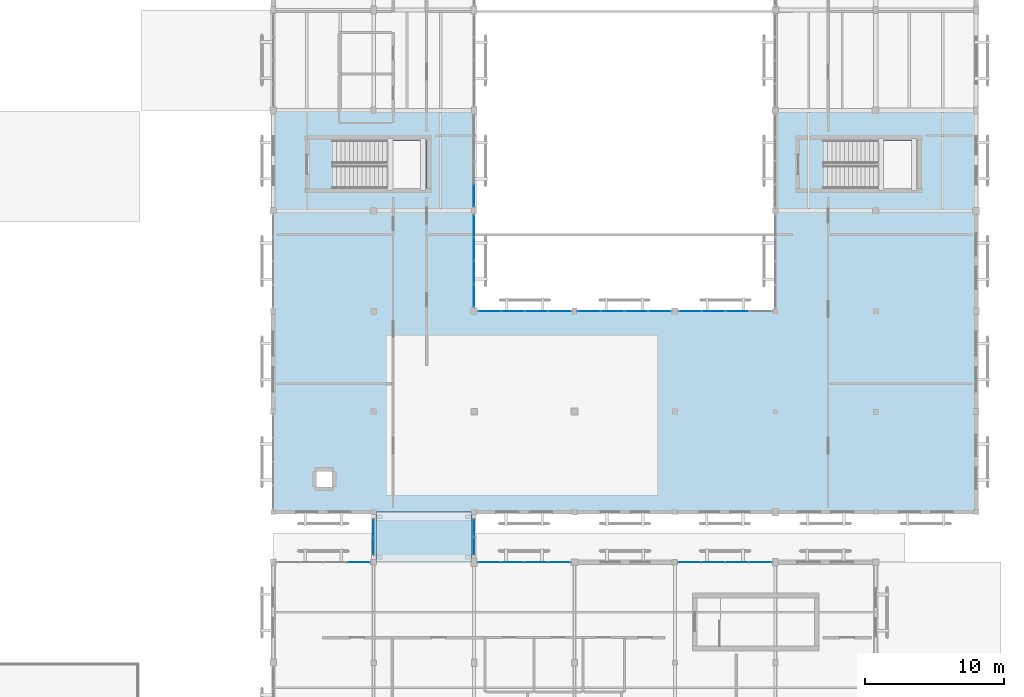
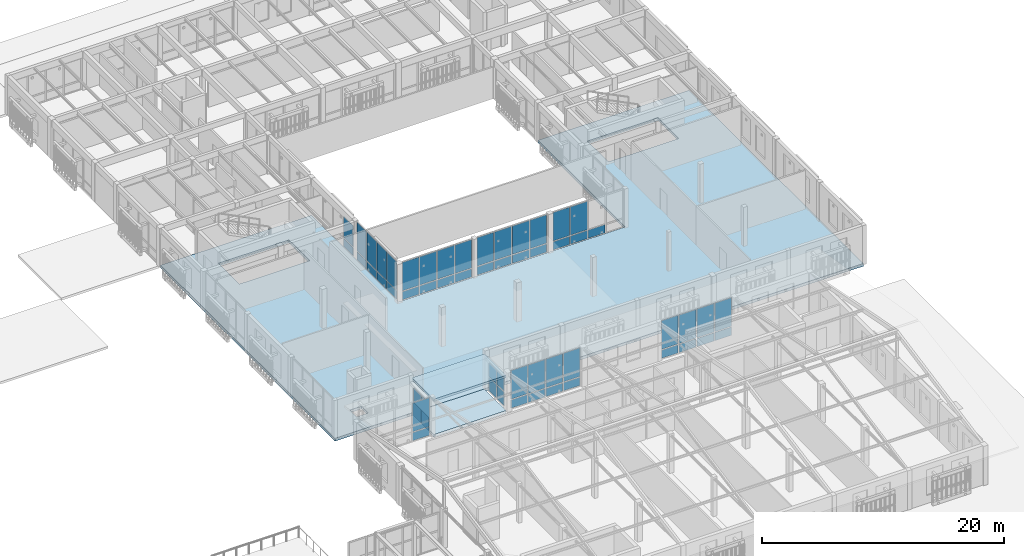
# One storey, part 76 of 112: 57 plates, 3 slabs, 10 elements without a shape of their own.
"""IFC4 building model written with IfcOpenShell, lengths in metres."""

from ifc_helpers import new_model, si_unit, direction, frame, origin, origin_2d, place, context, subcontext, project, spatial, polyline, rectangle, outline, extrude, material, layer, layer_set, type_object, element, aggregate, save


model = new_model("IFC4")

# Units and contexts
model_context = context("Model", 3, precision=1e-05, world=origin(), true_north=direction((0.0, 1.0)))
body_context = subcontext(model_context, "Body", "Model", "MODEL_VIEW")
ifc_project = project(units=[si_unit("LENGTHUNIT", "METRE"), si_unit("AREAUNIT", "SQUARE_METRE"), si_unit("VOLUMEUNIT", "CUBIC_METRE"), si_unit("PLANEANGLEUNIT", "RADIAN"), si_unit("MASSUNIT", "GRAM", prefix="KILO")], contexts=[model_context])

# Site, building, storey
site_placement = place(None, origin())
site = spatial("IfcSite", under=ifc_project, at=site_placement, CompositionType="ELEMENT")
building_placement = place(site_placement, origin())
building = spatial("IfcBuilding", under=site, at=building_placement, Name="Mazaris Harbour Polytechnic", CompositionType="ELEMENT")
storey_placement = place(building_placement, frame((0.0, 0.0, 13.800048828125)))
storey = spatial("IfcBuildingStorey", under=building, at=storey_placement, Name="L03", CompositionType="ELEMENT", Elevation=13.800048828125)

# Slabs
ifc_material_1 = material(Name="Glulam GL28h and Concrete C30/37", Category="concrete")
ifc_layer_1 = layer(ifc_material_1, 0.264892578125, Name="Glulam GL28h and Concrete C30/37")
ifc_layer_set_1 = layer_set([ifc_layer_1], Name="Glulam GL28h and Concrete C30/37")
slab_type_1 = type_object("IfcSlabType", Name="CLT Composite Floor 265", PredefinedType="FLOOR", material=ifc_layer_set_1)
slab_1_placement = place(storey_placement, frame((0.0, 0.0, -0.26513671875)))
element("IfcSlab", 1, at=slab_1_placement, inside=storey, type_object=slab_type_1, Name="PB-NE L03 Bridge Deck", PredefinedType="FLOOR", context=body_context, shape_type="SweptSolid", body=[
    extrude(outline(polyline([(136.64990234375, 43.199951171875), (136.64990234375, 46.800048828125), (129.75, 46.800048828125), (129.75, 43.199951171875), (136.64990234375, 43.199951171875)])), origin(), (0.0, 0.0, 1.0), 0.26513671875),
])
ifc_material_2 = material(Name="Glulam GL28h and Concrete C30/37", Category="concrete")
ifc_layer_2 = layer(ifc_material_2, 0.280029296875, Name="Glulam GL28h and Concrete C30/37")
ifc_layer_set_2 = layer_set([ifc_layer_2], Name="Glulam GL28h and Concrete C30/37")
slab_type_2 = type_object("IfcSlabType", Name="CLT Composite Floor 280", PredefinedType="FLOOR", material=ifc_layer_set_2)
slab_2_placement = place(storey_placement, frame((0.0, 0.0, -0.280029296875)))
element("IfcSlab", 2, at=slab_2_placement, inside=storey, type_object=slab_type_2, Name="V5 L03 Floor Slab", PredefinedType="FLOOR", context=body_context, shape_type="SweptSolid", body=[
    extrude(outline(polyline([(172.800048828125, 46.800048828125), (122.39990234375, 46.800048828125), (122.39990234375, 75.60009765625), (136.800048828125, 75.60009765625), (136.800048828125, 61.199951171875), (158.39990234375, 61.199951171875), (158.39990234375, 75.60009765625), (172.800048828125, 75.60009765625), (172.800048828125, 46.800048828125)]), holes=[polyline([(126.675048828125, 70.0), (133.39990234375, 70.0), (133.39990234375, 73.449951171875), (126.675048828125, 73.449951171875), (126.675048828125, 70.0)]), polyline([(161.875, 73.449951171875), (161.875, 70.0), (168.60009765625, 70.0), (168.60009765625, 73.449951171875), (161.875, 73.449951171875)]), polyline([(125.5, 48.60009765625), (126.6201171875, 48.60009765625), (126.6201171875, 49.719970703125), (125.5, 49.719970703125), (125.5, 48.60009765625)])]), origin(), (0.0, 0.0, 1.0), 0.280029296875),
])

# Curtain wall, plates
ifc_material_3 = material(Name="Anodised Bronze Aluminium and Low-E Glass", Category="aluminium")
ifc_layer_3 = layer(ifc_material_3, 0.139892578125, Name="Anodised Bronze Aluminium and Low-E Glass")
ifc_layer_set_3 = layer_set([ifc_layer_3], Name="Anodised Bronze Aluminium and Low-E Glass")
curtain_wall_type_1 = type_object("IfcCurtainWallType", Name="Seismic Link Bridge Glazing", PredefinedType="NOTDEFINED", material=ifc_layer_set_3)
curtain_wall_1_placement = place(storey_placement, origin())
curtain_wall_1 = element("IfcCurtainWall", 3, at=curtain_wall_1_placement, inside=storey, type_object=curtain_wall_type_1, Name="PB-NE L03 Bridge Glazing", PredefinedType="NOTDEFINED")
ifc_material_4 = material(Name="Anodised Bronze Insulated Panel")
ifc_layer_4 = layer(ifc_material_4, 0.0419921875, Name="Anodised Bronze Insulated Panel")
ifc_layer_set_4 = layer_set([ifc_layer_4], Name="Anodised Bronze Insulated Panel")
plate_type_1 = type_object("IfcPlateType", Name="Insulated Bronze Spandrel Panel 42", PredefinedType="CURTAIN_PANEL", material=ifc_layer_set_4)
plate_1_placement = place(storey_placement, frame((129.60009765625, 45.639892578125, 0.080078125), z_axis=(0.0, 0.0, 1.0), x_axis=(0.0, -1.0, 0.0)))
plate_1 = element("IfcPlate", 4, at=plate_1_placement, type_object=plate_type_1, Name="CW-05 panel 1.1", PredefinedType="CURTAIN_PANEL", context=body_context, shape_type="SweptSolid", body=[
    extrude(rectangle(XDim=1.199951171875, YDim=0.0419921875, at=origin_2d()), origin(), (0.0, 0.0, 1.0), 1.385009765625),
])
plate_2_placement = place(storey_placement, frame((129.60009765625, 45.639892578125, 1.544921875), z_axis=(0.0, 0.0, 1.0), x_axis=(0.0, -1.0, 0.0)))
plate_2 = element("IfcPlate", 5, at=plate_2_placement, type_object=plate_type_1, Name="CW-05 panel 1.2", PredefinedType="CURTAIN_PANEL", context=body_context, shape_type="SweptSolid", body=[
    extrude(rectangle(XDim=1.199951171875, YDim=0.0419921875, at=origin_2d()), origin(), (0.0, 0.0, 1.0), 1.385009765625),
])
plate_3_placement = place(storey_placement, frame((129.60009765625, 44.360107421875, 0.080078125), z_axis=(0.0, 0.0, 1.0), x_axis=(0.0, -1.0, 0.0)))
plate_3 = element("IfcPlate", 6, at=plate_3_placement, type_object=plate_type_1, Name="CW-05 panel 2.1", PredefinedType="CURTAIN_PANEL", context=body_context, shape_type="SweptSolid", body=[
    extrude(rectangle(XDim=1.199951171875, YDim=0.0419921875, at=origin_2d()), origin(), (0.0, 0.0, 1.0), 1.385009765625),
])
plate_4_placement = place(storey_placement, frame((129.60009765625, 44.360107421875, 1.544921875), z_axis=(0.0, 0.0, 1.0), x_axis=(0.0, -1.0, 0.0)))
plate_4 = element("IfcPlate", 7, at=plate_4_placement, type_object=plate_type_1, Name="CW-05 panel 2.2", PredefinedType="CURTAIN_PANEL", context=body_context, shape_type="SweptSolid", body=[
    extrude(rectangle(XDim=1.199951171875, YDim=0.0419921875, at=origin_2d()), origin(), (0.0, 0.0, 1.0), 1.385009765625),
])
aggregate(curtain_wall_1, [plate_1, plate_2, plate_3, plate_4])

# Slab
ifc_material_5 = material(Name="Glulam GL28h and Concrete C30/37", Category="concrete")
ifc_layer_5 = layer(ifc_material_5, 0.239990234375, Name="Glulam GL28h and Concrete C30/37")
ifc_layer_set_5 = layer_set([ifc_layer_5], Name="Glulam GL28h and Concrete C30/37")
slab_type_3 = type_object("IfcSlabType", Name="Insulated Flat Roof Slab 240", PredefinedType="ROOF", material=ifc_layer_set_5)
slab_3_placement = place(storey_placement, frame((0.0, 0.0, 3.31005859375)))
element("IfcSlab", 8, at=slab_3_placement, inside=storey, type_object=slab_type_3, Name="PB-NE Covered Passage Roof", PredefinedType="ROOF", context=body_context, shape_type="SweptSolid", body=[
    extrude(outline(polyline([(136.64990234375, 43.199951171875), (136.64990234375, 46.800048828125), (129.75, 46.800048828125), (129.75, 43.199951171875), (136.64990234375, 43.199951171875)])), origin(), (0.0, 0.0, 1.0), 0.239990234375),
])

# Curtain wall, plates
ifc_material_6 = material(Name="Anodised Bronze Aluminium and Low-E Glass", Category="aluminium")
ifc_layer_6 = layer(ifc_material_6, 0.159912109375, Name="Anodised Bronze Aluminium and Low-E Glass")
ifc_layer_set_6 = layer_set([ifc_layer_6], Name="Anodised Bronze Aluminium and Low-E Glass")
curtain_wall_type_2 = type_object("IfcCurtainWallType", Name="Cloister Court Curtain Wall", PredefinedType="NOTDEFINED", material=ifc_layer_set_6)
curtain_wall_2_placement = place(storey_placement, origin())
curtain_wall_2 = element("IfcCurtainWall", 9, at=curtain_wall_2_placement, inside=storey, type_object=curtain_wall_type_2, Name="V2 L03 Curtain Wall 55", PredefinedType="NOTDEFINED")
ifc_material_7 = material(Name="Low-E Double Glazing", Category="glass")
ifc_layer_7 = layer(ifc_material_7, 0.028076171875, Name="Low-E Double Glazing")
ifc_layer_set_7 = layer_set([ifc_layer_7], Name="Low-E Double Glazing")
plate_type_2 = type_object("IfcPlateType", Name="Low-E Vision Glass Panel 28", PredefinedType="CURTAIN_PANEL", material=ifc_layer_set_7)
plate_5_placement = place(storey_placement, frame((128.524658203125, 43.199951171875, 0.079833984375), z_axis=(0.0, 0.0, 1.0), x_axis=(1.0, 0.0, 0.0)))
plate_5 = element("IfcPlate", 10, at=plate_5_placement, type_object=plate_type_2, Name="CW-02 panel 4.1", PredefinedType="CURTAIN_PANEL", context=body_context, shape_type="SweptSolid", body=[
    extrude(rectangle(XDim=1.58642578125, YDim=0.028076171875, at=origin_2d()), origin(), (0.0, 0.0, 1.0), 0.830078125),
])
plate_6_placement = place(storey_placement, frame((128.524658203125, 43.199951171875, 0.990234375), z_axis=(0.0, 0.0, 1.0), x_axis=(1.0, 0.0, 0.0)))
plate_6 = element("IfcPlate", 11, at=plate_6_placement, type_object=plate_type_2, Name="CW-02 panel 4.2", PredefinedType="CURTAIN_PANEL", context=body_context, shape_type="SweptSolid", body=[
    extrude(rectangle(XDim=1.58642578125, YDim=0.028076171875, at=origin_2d()), origin(), (0.0, 0.0, 1.0), 2.889892578125),
])
aggregate(curtain_wall_2, [plate_5, plate_6])

curtain_wall_3_placement = place(storey_placement, origin())
curtain_wall_3 = element("IfcCurtainWall", 12, at=curtain_wall_3_placement, inside=storey, type_object=curtain_wall_type_2, Name="V2 L03 Curtain Wall 56", PredefinedType="NOTDEFINED")
plate_7_placement = place(storey_placement, frame((137.875244140625, 43.199951171875, 0.079833984375), z_axis=(0.0, 0.0, 1.0), x_axis=(1.0, 0.0, 0.0)))
plate_7 = element("IfcPlate", 13, at=plate_7_placement, type_object=plate_type_2, Name="CW-02 panel 1.1", PredefinedType="CURTAIN_PANEL", context=body_context, shape_type="SweptSolid", body=[
    extrude(rectangle(XDim=1.56640625, YDim=0.028076171875, at=origin_2d()), origin(), (0.0, 0.0, 1.0), 0.830078125),
])
plate_8_placement = place(storey_placement, frame((137.875244140625, 43.199951171875, 0.990234375), z_axis=(0.0, 0.0, 1.0), x_axis=(1.0, 0.0, 0.0)))
plate_8 = element("IfcPlate", 14, at=plate_8_placement, type_object=plate_type_2, Name="CW-02 panel 1.2", PredefinedType="CURTAIN_PANEL", context=body_context, shape_type="SweptSolid", body=[
    extrude(rectangle(XDim=1.56640625, YDim=0.028076171875, at=origin_2d()), origin(), (0.0, 0.0, 1.0), 2.889892578125),
])
plate_9_placement = place(storey_placement, frame((139.541748046875, 43.199951171875, 0.079833984375), z_axis=(0.0, 0.0, 1.0), x_axis=(1.0, 0.0, 0.0)))
plate_9 = element("IfcPlate", 15, at=plate_9_placement, type_object=plate_type_2, Name="CW-02 panel 2.1", PredefinedType="CURTAIN_PANEL", context=body_context, shape_type="SweptSolid", body=[
    extrude(rectangle(XDim=1.6064453125, YDim=0.028076171875, at=origin_2d()), origin(), (0.0, 0.0, 1.0), 0.830078125),
])
plate_10_placement = place(storey_placement, frame((139.541748046875, 43.199951171875, 0.990234375), z_axis=(0.0, 0.0, 1.0), x_axis=(1.0, 0.0, 0.0)))
plate_10 = element("IfcPlate", 16, at=plate_10_placement, type_object=plate_type_2, Name="CW-02 panel 2.2", PredefinedType="CURTAIN_PANEL", context=body_context, shape_type="SweptSolid", body=[
    extrude(rectangle(XDim=1.6064453125, YDim=0.028076171875, at=origin_2d()), origin(), (0.0, 0.0, 1.0), 2.889892578125),
])
plate_11_placement = place(storey_placement, frame((141.228271484375, 43.199951171875, 0.079833984375), z_axis=(0.0, 0.0, 1.0), x_axis=(1.0, 0.0, 0.0)))
plate_11 = element("IfcPlate", 17, at=plate_11_placement, type_object=plate_type_2, Name="CW-02 panel 3.1", PredefinedType="CURTAIN_PANEL", context=body_context, shape_type="SweptSolid", body=[
    extrude(rectangle(XDim=1.6064453125, YDim=0.028076171875, at=origin_2d()), origin(), (0.0, 0.0, 1.0), 0.830078125),
])
plate_12_placement = place(storey_placement, frame((141.228271484375, 43.199951171875, 0.990234375), z_axis=(0.0, 0.0, 1.0), x_axis=(1.0, 0.0, 0.0)))
plate_12 = element("IfcPlate", 18, at=plate_12_placement, type_object=plate_type_2, Name="CW-02 panel 3.2", PredefinedType="CURTAIN_PANEL", context=body_context, shape_type="SweptSolid", body=[
    extrude(rectangle(XDim=1.6064453125, YDim=0.028076171875, at=origin_2d()), origin(), (0.0, 0.0, 1.0), 2.889892578125),
])
plate_13_placement = place(storey_placement, frame((142.894775390625, 43.199951171875, 0.079833984375), z_axis=(0.0, 0.0, 1.0), x_axis=(1.0, 0.0, 0.0)))
plate_13 = element("IfcPlate", 19, at=plate_13_placement, type_object=plate_type_2, Name="CW-02 panel 4.1", PredefinedType="CURTAIN_PANEL", context=body_context, shape_type="SweptSolid", body=[
    extrude(rectangle(XDim=1.56640625, YDim=0.028076171875, at=origin_2d()), origin(), (0.0, 0.0, 1.0), 0.830078125),
])
plate_14_placement = place(storey_placement, frame((142.894775390625, 43.199951171875, 0.990234375), z_axis=(0.0, 0.0, 1.0), x_axis=(1.0, 0.0, 0.0)))
plate_14 = element("IfcPlate", 20, at=plate_14_placement, type_object=plate_type_2, Name="CW-02 panel 4.2", PredefinedType="CURTAIN_PANEL", context=body_context, shape_type="SweptSolid", body=[
    extrude(rectangle(XDim=1.56640625, YDim=0.028076171875, at=origin_2d()), origin(), (0.0, 0.0, 1.0), 2.889892578125),
])
aggregate(curtain_wall_3, [plate_7, plate_8, plate_9, plate_10, plate_11, plate_12, plate_13, plate_14])

curtain_wall_4_placement = place(storey_placement, origin())
curtain_wall_4 = element("IfcCurtainWall", 21, at=curtain_wall_4_placement, inside=storey, type_object=curtain_wall_type_2, Name="V2 L03 Curtain Wall 57", PredefinedType="NOTDEFINED")
plate_15_placement = place(storey_placement, frame((152.25537109375, 43.199951171875, 0.079833984375), z_axis=(0.0, 0.0, 1.0), x_axis=(1.0, 0.0, 0.0)))
plate_15 = element("IfcPlate", 22, at=plate_15_placement, type_object=plate_type_2, Name="CW-02 panel 1.1", PredefinedType="CURTAIN_PANEL", context=body_context, shape_type="SweptSolid", body=[
    extrude(rectangle(XDim=1.58642578125, YDim=0.028076171875, at=origin_2d()), origin(), (0.0, 0.0, 1.0), 0.830078125),
])
plate_16_placement = place(storey_placement, frame((152.25537109375, 43.199951171875, 0.990234375), z_axis=(0.0, 0.0, 1.0), x_axis=(1.0, 0.0, 0.0)))
plate_16 = element("IfcPlate", 23, at=plate_16_placement, type_object=plate_type_2, Name="CW-02 panel 1.2", PredefinedType="CURTAIN_PANEL", context=body_context, shape_type="SweptSolid", body=[
    extrude(rectangle(XDim=1.58642578125, YDim=0.028076171875, at=origin_2d()), origin(), (0.0, 0.0, 1.0), 2.889892578125),
])
plate_17_placement = place(storey_placement, frame((153.941650390625, 43.199951171875, 0.079833984375), z_axis=(0.0, 0.0, 1.0), x_axis=(1.0, 0.0, 0.0)))
plate_17 = element("IfcPlate", 24, at=plate_17_placement, type_object=plate_type_2, Name="CW-02 panel 2.1", PredefinedType="CURTAIN_PANEL", context=body_context, shape_type="SweptSolid", body=[
    extrude(rectangle(XDim=1.62646484375, YDim=0.028076171875, at=origin_2d()), origin(), (0.0, 0.0, 1.0), 0.830078125),
])
plate_18_placement = place(storey_placement, frame((153.941650390625, 43.199951171875, 0.990234375), z_axis=(0.0, 0.0, 1.0), x_axis=(1.0, 0.0, 0.0)))
plate_18 = element("IfcPlate", 25, at=plate_18_placement, type_object=plate_type_2, Name="CW-02 panel 2.2", PredefinedType="CURTAIN_PANEL", context=body_context, shape_type="SweptSolid", body=[
    extrude(rectangle(XDim=1.62646484375, YDim=0.028076171875, at=origin_2d()), origin(), (0.0, 0.0, 1.0), 2.889892578125),
])
plate_19_placement = place(storey_placement, frame((155.648193359375, 43.199951171875, 0.079833984375), z_axis=(0.0, 0.0, 1.0), x_axis=(1.0, 0.0, 0.0)))
plate_19 = element("IfcPlate", 26, at=plate_19_placement, type_object=plate_type_2, Name="CW-02 panel 3.1", PredefinedType="CURTAIN_PANEL", context=body_context, shape_type="SweptSolid", body=[
    extrude(rectangle(XDim=1.62646484375, YDim=0.028076171875, at=origin_2d()), origin(), (0.0, 0.0, 1.0), 0.830078125),
])
plate_20_placement = place(storey_placement, frame((155.648193359375, 43.199951171875, 0.990234375), z_axis=(0.0, 0.0, 1.0), x_axis=(1.0, 0.0, 0.0)))
plate_20 = element("IfcPlate", 27, at=plate_20_placement, type_object=plate_type_2, Name="CW-02 panel 3.2", PredefinedType="CURTAIN_PANEL", context=body_context, shape_type="SweptSolid", body=[
    extrude(rectangle(XDim=1.62646484375, YDim=0.028076171875, at=origin_2d()), origin(), (0.0, 0.0, 1.0), 2.889892578125),
])
plate_21_placement = place(storey_placement, frame((157.334716796875, 43.199951171875, 0.079833984375), z_axis=(0.0, 0.0, 1.0), x_axis=(1.0, 0.0, 0.0)))
plate_21 = element("IfcPlate", 28, at=plate_21_placement, type_object=plate_type_2, Name="CW-02 panel 4.1", PredefinedType="CURTAIN_PANEL", context=body_context, shape_type="SweptSolid", body=[
    extrude(rectangle(XDim=1.58642578125, YDim=0.028076171875, at=origin_2d()), origin(), (0.0, 0.0, 1.0), 0.830078125),
])
plate_22_placement = place(storey_placement, frame((157.334716796875, 43.199951171875, 0.990234375), z_axis=(0.0, 0.0, 1.0), x_axis=(1.0, 0.0, 0.0)))
plate_22 = element("IfcPlate", 29, at=plate_22_placement, type_object=plate_type_2, Name="CW-02 panel 4.2", PredefinedType="CURTAIN_PANEL", context=body_context, shape_type="SweptSolid", body=[
    extrude(rectangle(XDim=1.58642578125, YDim=0.028076171875, at=origin_2d()), origin(), (0.0, 0.0, 1.0), 2.889892578125),
])
aggregate(curtain_wall_4, [plate_15, plate_16, plate_17, plate_18, plate_19, plate_20, plate_21, plate_22])

curtain_wall_5_placement = place(storey_placement, origin())
curtain_wall_5 = element("IfcCurtainWall", 30, at=curtain_wall_5_placement, inside=storey, type_object=curtain_wall_type_1, Name="PB-NE L03 Bridge Glazing", PredefinedType="NOTDEFINED")
plate_23_placement = place(storey_placement, frame((136.800048828125, 44.360107421875, 0.080078125), z_axis=(0.0, 0.0, 1.0), x_axis=(0.0, 1.0, 0.0)))
plate_23 = element("IfcPlate", 31, at=plate_23_placement, type_object=plate_type_2, Name="CW-05 panel 1.1", PredefinedType="CURTAIN_PANEL", context=body_context, shape_type="SweptSolid", body=[
    extrude(rectangle(XDim=1.199951171875, YDim=0.028076171875, at=origin_2d()), origin(), (0.0, 0.0, 1.0), 1.385009765625),
])
plate_24_placement = place(storey_placement, frame((136.800048828125, 44.360107421875, 1.544921875), z_axis=(0.0, 0.0, 1.0), x_axis=(0.0, 1.0, 0.0)))
plate_24 = element("IfcPlate", 32, at=plate_24_placement, type_object=plate_type_2, Name="CW-05 panel 1.2", PredefinedType="CURTAIN_PANEL", context=body_context, shape_type="SweptSolid", body=[
    extrude(rectangle(XDim=1.199951171875, YDim=0.028076171875, at=origin_2d()), origin(), (0.0, 0.0, 1.0), 1.385009765625),
])
plate_25_placement = place(storey_placement, frame((136.800048828125, 45.639892578125, 0.080078125), z_axis=(0.0, 0.0, 1.0), x_axis=(0.0, 1.0, 0.0)))
plate_25 = element("IfcPlate", 33, at=plate_25_placement, type_object=plate_type_2, Name="CW-05 panel 2.1", PredefinedType="CURTAIN_PANEL", context=body_context, shape_type="SweptSolid", body=[
    extrude(rectangle(XDim=1.199951171875, YDim=0.028076171875, at=origin_2d()), origin(), (0.0, 0.0, 1.0), 1.385009765625),
])
plate_26_placement = place(storey_placement, frame((136.800048828125, 45.639892578125, 1.544921875), z_axis=(0.0, 0.0, 1.0), x_axis=(0.0, 1.0, 0.0)))
plate_26 = element("IfcPlate", 34, at=plate_26_placement, type_object=plate_type_2, Name="CW-05 panel 2.2", PredefinedType="CURTAIN_PANEL", context=body_context, shape_type="SweptSolid", body=[
    extrude(rectangle(XDim=1.199951171875, YDim=0.028076171875, at=origin_2d()), origin(), (0.0, 0.0, 1.0), 1.385009765625),
])
aggregate(curtain_wall_5, [plate_23, plate_24, plate_25, plate_26])

ifc_material_8 = material(Name="Anodised Bronze Aluminium and Low-E Glass", Category="aluminium")
ifc_layer_8 = layer(ifc_material_8, 0.169921875, Name="Anodised Bronze Aluminium and Low-E Glass")
ifc_layer_set_8 = layer_set([ifc_layer_8], Name="Anodised Bronze Aluminium and Low-E Glass")
curtain_wall_type_3 = type_object("IfcCurtainWallType", Name="Studio North-Light Curtain Wall", PredefinedType="NOTDEFINED", material=ifc_layer_set_8)
curtain_wall_6_placement = place(storey_placement, origin())
curtain_wall_6 = element("IfcCurtainWall", 35, at=curtain_wall_6_placement, inside=storey, type_object=curtain_wall_type_3, Name="V5 L03 Curtain Wall 257", PredefinedType="NOTDEFINED")
ifc_material_9 = material(Name="Solar-Control Low-E Glazing", Category="glass")
ifc_layer_9 = layer(ifc_material_9, 0.031982421875, Name="Solar-Control Low-E Glazing")
ifc_layer_set_9 = layer_set([ifc_layer_9], Name="Solar-Control Low-E Glazing")
plate_type_3 = type_object("IfcPlateType", Name="Solar Control Studio Glass Panel 32", PredefinedType="CURTAIN_PANEL", material=ifc_layer_set_9)
plate_27_placement = place(storey_placement, frame((137.91015625, 61.199951171875, 0.079833984375), z_axis=(0.0, 0.0, 1.0), x_axis=(1.0, 0.0, 0.0)))
plate_27 = element("IfcPlate", 36, at=plate_27_placement, type_object=plate_type_3, Name="CW-03 panel 1.1", PredefinedType="CURTAIN_PANEL", context=body_context, shape_type="SweptSolid", body=[
    extrude(rectangle(XDim=1.576416015625, YDim=0.031982421875, at=origin_2d()), origin(), (0.0, 0.0, 1.0), 0.830078125),
])
plate_28_placement = place(storey_placement, frame((137.91015625, 61.199951171875, 0.98974609375), z_axis=(0.0, 0.0, 1.0), x_axis=(1.0, 0.0, 0.0)))
plate_28 = element("IfcPlate", 37, at=plate_28_placement, type_object=plate_type_3, Name="CW-03 panel 1.2", PredefinedType="CURTAIN_PANEL", context=body_context, shape_type="SweptSolid", body=[
    extrude(rectangle(XDim=1.576416015625, YDim=0.031982421875, at=origin_2d()), origin(), (0.0, 0.0, 1.0), 2.864990234375),
])
plate_29_placement = place(storey_placement, frame((139.586669921875, 61.199951171875, 0.079833984375), z_axis=(0.0, 0.0, 1.0), x_axis=(1.0, 0.0, 0.0)))
plate_29 = element("IfcPlate", 38, at=plate_29_placement, type_object=plate_type_3, Name="CW-03 panel 2.1", PredefinedType="CURTAIN_PANEL", context=body_context, shape_type="SweptSolid", body=[
    extrude(rectangle(XDim=1.616455078125, YDim=0.031982421875, at=origin_2d()), origin(), (0.0, 0.0, 1.0), 0.830078125),
])
plate_30_placement = place(storey_placement, frame((139.586669921875, 61.199951171875, 0.98974609375), z_axis=(0.0, 0.0, 1.0), x_axis=(1.0, 0.0, 0.0)))
plate_30 = element("IfcPlate", 39, at=plate_30_placement, type_object=plate_type_3, Name="CW-03 panel 2.2", PredefinedType="CURTAIN_PANEL", context=body_context, shape_type="SweptSolid", body=[
    extrude(rectangle(XDim=1.616455078125, YDim=0.031982421875, at=origin_2d()), origin(), (0.0, 0.0, 1.0), 2.864990234375),
])
plate_31_placement = place(storey_placement, frame((141.283203125, 61.199951171875, 0.079833984375), z_axis=(0.0, 0.0, 1.0), x_axis=(1.0, 0.0, 0.0)))
plate_31 = element("IfcPlate", 40, at=plate_31_placement, type_object=plate_type_3, Name="CW-03 panel 3.1", PredefinedType="CURTAIN_PANEL", context=body_context, shape_type="SweptSolid", body=[
    extrude(rectangle(XDim=1.616455078125, YDim=0.031982421875, at=origin_2d()), origin(), (0.0, 0.0, 1.0), 0.830078125),
])
plate_32_placement = place(storey_placement, frame((141.283203125, 61.199951171875, 0.98974609375), z_axis=(0.0, 0.0, 1.0), x_axis=(1.0, 0.0, 0.0)))
plate_32 = element("IfcPlate", 41, at=plate_32_placement, type_object=plate_type_3, Name="CW-03 panel 3.2", PredefinedType="CURTAIN_PANEL", context=body_context, shape_type="SweptSolid", body=[
    extrude(rectangle(XDim=1.616455078125, YDim=0.031982421875, at=origin_2d()), origin(), (0.0, 0.0, 1.0), 2.864990234375),
])
plate_33_placement = place(storey_placement, frame((142.959716796875, 61.199951171875, 0.079833984375), z_axis=(0.0, 0.0, 1.0), x_axis=(1.0, 0.0, 0.0)))
plate_33 = element("IfcPlate", 42, at=plate_33_placement, type_object=plate_type_3, Name="CW-03 panel 4.1", PredefinedType="CURTAIN_PANEL", context=body_context, shape_type="SweptSolid", body=[
    extrude(rectangle(XDim=1.576416015625, YDim=0.031982421875, at=origin_2d()), origin(), (0.0, 0.0, 1.0), 0.830078125),
])
plate_34_placement = place(storey_placement, frame((142.959716796875, 61.199951171875, 0.98974609375), z_axis=(0.0, 0.0, 1.0), x_axis=(1.0, 0.0, 0.0)))
plate_34 = element("IfcPlate", 43, at=plate_34_placement, type_object=plate_type_3, Name="CW-03 panel 4.2", PredefinedType="CURTAIN_PANEL", context=body_context, shape_type="SweptSolid", body=[
    extrude(rectangle(XDim=1.576416015625, YDim=0.031982421875, at=origin_2d()), origin(), (0.0, 0.0, 1.0), 2.864990234375),
])
aggregate(curtain_wall_6, [plate_27, plate_28, plate_29, plate_30, plate_31, plate_32, plate_33, plate_34])

curtain_wall_7_placement = place(storey_placement, origin())
curtain_wall_7 = element("IfcCurtainWall", 44, at=curtain_wall_7_placement, inside=storey, type_object=curtain_wall_type_3, Name="V5 L03 Curtain Wall 258", PredefinedType="NOTDEFINED")
plate_35_placement = place(storey_placement, frame((145.042724609375, 61.199951171875, 0.079833984375), z_axis=(0.0, 0.0, 1.0), x_axis=(1.0, 0.0, 0.0)))
plate_35 = element("IfcPlate", 45, at=plate_35_placement, type_object=plate_type_3, Name="CW-03 panel 1.1", PredefinedType="CURTAIN_PANEL", context=body_context, shape_type="SweptSolid", body=[
    extrude(rectangle(XDim=1.58154296875, YDim=0.031982421875, at=origin_2d()), origin(), (0.0, 0.0, 1.0), 0.830078125),
])
plate_36_placement = place(storey_placement, frame((145.042724609375, 61.199951171875, 0.98974609375), z_axis=(0.0, 0.0, 1.0), x_axis=(1.0, 0.0, 0.0)))
plate_36 = element("IfcPlate", 46, at=plate_36_placement, type_object=plate_type_3, Name="CW-03 panel 1.2", PredefinedType="CURTAIN_PANEL", context=body_context, shape_type="SweptSolid", body=[
    extrude(rectangle(XDim=1.58154296875, YDim=0.031982421875, at=origin_2d()), origin(), (0.0, 0.0, 1.0), 2.864990234375),
])
plate_37_placement = place(storey_placement, frame((146.724365234375, 61.199951171875, 0.079833984375), z_axis=(0.0, 0.0, 1.0), x_axis=(1.0, 0.0, 0.0)))
plate_37 = element("IfcPlate", 47, at=plate_37_placement, type_object=plate_type_3, Name="CW-03 panel 2.1", PredefinedType="CURTAIN_PANEL", context=body_context, shape_type="SweptSolid", body=[
    extrude(rectangle(XDim=1.62158203125, YDim=0.031982421875, at=origin_2d()), origin(), (0.0, 0.0, 1.0), 0.830078125),
])
plate_38_placement = place(storey_placement, frame((146.724365234375, 61.199951171875, 0.98974609375), z_axis=(0.0, 0.0, 1.0), x_axis=(1.0, 0.0, 0.0)))
plate_38 = element("IfcPlate", 48, at=plate_38_placement, type_object=plate_type_3, Name="CW-03 panel 2.2", PredefinedType="CURTAIN_PANEL", context=body_context, shape_type="SweptSolid", body=[
    extrude(rectangle(XDim=1.62158203125, YDim=0.031982421875, at=origin_2d()), origin(), (0.0, 0.0, 1.0), 2.864990234375),
])
plate_39_placement = place(storey_placement, frame((148.42578125, 61.199951171875, 0.079833984375), z_axis=(0.0, 0.0, 1.0), x_axis=(1.0, 0.0, 0.0)))
plate_39 = element("IfcPlate", 49, at=plate_39_placement, type_object=plate_type_3, Name="CW-03 panel 3.1", PredefinedType="CURTAIN_PANEL", context=body_context, shape_type="SweptSolid", body=[
    extrude(rectangle(XDim=1.62158203125, YDim=0.031982421875, at=origin_2d()), origin(), (0.0, 0.0, 1.0), 0.830078125),
])
plate_40_placement = place(storey_placement, frame((148.42578125, 61.199951171875, 0.98974609375), z_axis=(0.0, 0.0, 1.0), x_axis=(1.0, 0.0, 0.0)))
plate_40 = element("IfcPlate", 50, at=plate_40_placement, type_object=plate_type_3, Name="CW-03 panel 3.2", PredefinedType="CURTAIN_PANEL", context=body_context, shape_type="SweptSolid", body=[
    extrude(rectangle(XDim=1.62158203125, YDim=0.031982421875, at=origin_2d()), origin(), (0.0, 0.0, 1.0), 2.864990234375),
])
plate_41_placement = place(storey_placement, frame((150.107177734375, 61.199951171875, 0.079833984375), z_axis=(0.0, 0.0, 1.0), x_axis=(1.0, 0.0, 0.0)))
plate_41 = element("IfcPlate", 51, at=plate_41_placement, type_object=plate_type_3, Name="CW-03 panel 4.1", PredefinedType="CURTAIN_PANEL", context=body_context, shape_type="SweptSolid", body=[
    extrude(rectangle(XDim=1.58154296875, YDim=0.031982421875, at=origin_2d()), origin(), (0.0, 0.0, 1.0), 0.830078125),
])
plate_42_placement = place(storey_placement, frame((150.107177734375, 61.199951171875, 0.98974609375), z_axis=(0.0, 0.0, 1.0), x_axis=(1.0, 0.0, 0.0)))
plate_42 = element("IfcPlate", 52, at=plate_42_placement, type_object=plate_type_3, Name="CW-03 panel 4.2", PredefinedType="CURTAIN_PANEL", context=body_context, shape_type="SweptSolid", body=[
    extrude(rectangle(XDim=1.58154296875, YDim=0.031982421875, at=origin_2d()), origin(), (0.0, 0.0, 1.0), 2.864990234375),
])
aggregate(curtain_wall_7, [plate_35, plate_36, plate_37, plate_38, plate_39, plate_40, plate_41, plate_42])

curtain_wall_8_placement = place(storey_placement, origin())
curtain_wall_8 = element("IfcCurtainWall", 53, at=curtain_wall_8_placement, inside=storey, type_object=curtain_wall_type_3, Name="V5 L03 Curtain Wall 259", PredefinedType="NOTDEFINED")
plate_43_placement = place(storey_placement, frame((152.29150390625, 61.199951171875, 0.079833984375), z_axis=(0.0, 0.0, 1.0), x_axis=(1.0, 0.0, 0.0)))
plate_43 = element("IfcPlate", 54, at=plate_43_placement, type_object=plate_type_3, Name="CW-03 panel 1.1", PredefinedType="CURTAIN_PANEL", context=body_context, shape_type="SweptSolid", body=[
    extrude(rectangle(XDim=1.5791015625, YDim=0.031982421875, at=origin_2d()), origin(), (0.0, 0.0, 1.0), 0.830078125),
])
plate_44_placement = place(storey_placement, frame((152.29150390625, 61.199951171875, 0.98974609375), z_axis=(0.0, 0.0, 1.0), x_axis=(1.0, 0.0, 0.0)))
plate_44 = element("IfcPlate", 55, at=plate_44_placement, type_object=plate_type_3, Name="CW-03 panel 1.2", PredefinedType="CURTAIN_PANEL", context=body_context, shape_type="SweptSolid", body=[
    extrude(rectangle(XDim=1.5791015625, YDim=0.031982421875, at=origin_2d()), origin(), (0.0, 0.0, 1.0), 2.864990234375),
])
plate_45_placement = place(storey_placement, frame((153.970458984375, 61.199951171875, 0.079833984375), z_axis=(0.0, 0.0, 1.0), x_axis=(1.0, 0.0, 0.0)))
plate_45 = element("IfcPlate", 56, at=plate_45_placement, type_object=plate_type_3, Name="CW-03 panel 2.1", PredefinedType="CURTAIN_PANEL", context=body_context, shape_type="SweptSolid", body=[
    extrude(rectangle(XDim=1.618896484375, YDim=0.031982421875, at=origin_2d()), origin(), (0.0, 0.0, 1.0), 0.830078125),
])
plate_46_placement = place(storey_placement, frame((153.970458984375, 61.199951171875, 0.98974609375), z_axis=(0.0, 0.0, 1.0), x_axis=(1.0, 0.0, 0.0)))
plate_46 = element("IfcPlate", 57, at=plate_46_placement, type_object=plate_type_3, Name="CW-03 panel 2.2", PredefinedType="CURTAIN_PANEL", context=body_context, shape_type="SweptSolid", body=[
    extrude(rectangle(XDim=1.618896484375, YDim=0.031982421875, at=origin_2d()), origin(), (0.0, 0.0, 1.0), 2.864990234375),
])
plate_47_placement = place(storey_placement, frame((155.66943359375, 61.199951171875, 0.079833984375), z_axis=(0.0, 0.0, 1.0), x_axis=(1.0, 0.0, 0.0)))
plate_47 = element("IfcPlate", 58, at=plate_47_placement, type_object=plate_type_3, Name="CW-03 panel 3.1", PredefinedType="CURTAIN_PANEL", context=body_context, shape_type="SweptSolid", body=[
    extrude(rectangle(XDim=1.618896484375, YDim=0.031982421875, at=origin_2d()), origin(), (0.0, 0.0, 1.0), 0.830078125),
])
aggregate(curtain_wall_8, [plate_43, plate_44, plate_45, plate_46, plate_47])

curtain_wall_9_placement = place(storey_placement, origin())
curtain_wall_9 = element("IfcCurtainWall", 59, at=curtain_wall_9_placement, inside=storey, type_object=curtain_wall_type_3, Name="V5 L03 Curtain Wall 263", PredefinedType="NOTDEFINED")
plate_48_placement = place(storey_placement, frame((136.800048828125, 62.302734375, 0.079833984375), z_axis=(0.0, 0.0, 1.0), x_axis=(0.0, 1.0, 0.0)))
plate_48 = element("IfcPlate", 60, at=plate_48_placement, type_object=plate_type_3, Name="CW-03 panel 1.1", PredefinedType="CURTAIN_PANEL", context=body_context, shape_type="SweptSolid", body=[
    extrude(rectangle(XDim=1.5615234375, YDim=0.031982421875, at=origin_2d()), origin(), (0.0, 0.0, 1.0), 0.830078125),
])
plate_49_placement = place(storey_placement, frame((136.800048828125, 62.302734375, 0.98974609375), z_axis=(0.0, 0.0, 1.0), x_axis=(0.0, 1.0, 0.0)))
plate_49 = element("IfcPlate", 61, at=plate_49_placement, type_object=plate_type_3, Name="CW-03 panel 1.2", PredefinedType="CURTAIN_PANEL", context=body_context, shape_type="SweptSolid", body=[
    extrude(rectangle(XDim=1.5615234375, YDim=0.031982421875, at=origin_2d()), origin(), (0.0, 0.0, 1.0), 2.864990234375),
])
plate_50_placement = place(storey_placement, frame((136.800048828125, 63.96435546875, 0.079833984375), z_axis=(0.0, 0.0, 1.0), x_axis=(0.0, 1.0, 0.0)))
plate_50 = element("IfcPlate", 62, at=plate_50_placement, type_object=plate_type_3, Name="CW-03 panel 2.1", PredefinedType="CURTAIN_PANEL", context=body_context, shape_type="SweptSolid", body=[
    extrude(rectangle(XDim=1.6015625, YDim=0.031982421875, at=origin_2d()), origin(), (0.0, 0.0, 1.0), 0.830078125),
])
plate_51_placement = place(storey_placement, frame((136.800048828125, 63.96435546875, 0.98974609375), z_axis=(0.0, 0.0, 1.0), x_axis=(0.0, 1.0, 0.0)))
plate_51 = element("IfcPlate", 63, at=plate_51_placement, type_object=plate_type_3, Name="CW-03 panel 2.2", PredefinedType="CURTAIN_PANEL", context=body_context, shape_type="SweptSolid", body=[
    extrude(rectangle(XDim=1.6015625, YDim=0.031982421875, at=origin_2d()), origin(), (0.0, 0.0, 1.0), 2.864990234375),
])
plate_52_placement = place(storey_placement, frame((136.800048828125, 65.645751953125, 0.079833984375), z_axis=(0.0, 0.0, 1.0), x_axis=(0.0, 1.0, 0.0)))
plate_52 = element("IfcPlate", 64, at=plate_52_placement, type_object=plate_type_3, Name="CW-03 panel 3.1", PredefinedType="CURTAIN_PANEL", context=body_context, shape_type="SweptSolid", body=[
    extrude(rectangle(XDim=1.6015625, YDim=0.031982421875, at=origin_2d()), origin(), (0.0, 0.0, 1.0), 0.830078125),
])
plate_53_placement = place(storey_placement, frame((136.800048828125, 65.645751953125, 0.98974609375), z_axis=(0.0, 0.0, 1.0), x_axis=(0.0, 1.0, 0.0)))
plate_53 = element("IfcPlate", 65, at=plate_53_placement, type_object=plate_type_3, Name="CW-03 panel 3.2", PredefinedType="CURTAIN_PANEL", context=body_context, shape_type="SweptSolid", body=[
    extrude(rectangle(XDim=1.6015625, YDim=0.031982421875, at=origin_2d()), origin(), (0.0, 0.0, 1.0), 2.864990234375),
])
plate_54_placement = place(storey_placement, frame((136.800048828125, 67.30712890625, 0.079833984375), z_axis=(0.0, 0.0, 1.0), x_axis=(0.0, 1.0, 0.0)))
plate_54 = element("IfcPlate", 66, at=plate_54_placement, type_object=plate_type_3, Name="CW-03 panel 4.1", PredefinedType="CURTAIN_PANEL", context=body_context, shape_type="SweptSolid", body=[
    extrude(rectangle(XDim=1.5615234375, YDim=0.031982421875, at=origin_2d()), origin(), (0.0, 0.0, 1.0), 0.830078125),
])
plate_55_placement = place(storey_placement, frame((136.800048828125, 67.30712890625, 0.98974609375), z_axis=(0.0, 0.0, 1.0), x_axis=(0.0, 1.0, 0.0)))
plate_55 = element("IfcPlate", 67, at=plate_55_placement, type_object=plate_type_3, Name="CW-03 panel 4.2", PredefinedType="CURTAIN_PANEL", context=body_context, shape_type="SweptSolid", body=[
    extrude(rectangle(XDim=1.5615234375, YDim=0.031982421875, at=origin_2d()), origin(), (0.0, 0.0, 1.0), 2.864990234375),
])
aggregate(curtain_wall_9, [plate_48, plate_49, plate_50, plate_51, plate_52, plate_53, plate_54, plate_55])

curtain_wall_10_placement = place(storey_placement, origin())
curtain_wall_10 = element("IfcCurtainWall", 68, at=curtain_wall_10_placement, inside=storey, type_object=curtain_wall_type_3, Name="V5 L03 Curtain Wall 264", PredefinedType="NOTDEFINED")
plate_56_placement = place(storey_placement, frame((136.800048828125, 69.490234375, 0.079833984375), z_axis=(0.0, 0.0, 1.0), x_axis=(0.0, 1.0, 0.0)))
plate_56 = element("IfcPlate", 69, at=plate_56_placement, type_object=plate_type_3, Name="CW-03 panel 1.1", PredefinedType="CURTAIN_PANEL", context=body_context, shape_type="SweptSolid", body=[
    extrude(rectangle(XDim=1.556396484375, YDim=0.031982421875, at=origin_2d()), origin(), (0.0, 0.0, 1.0), 0.830078125),
])
plate_57_placement = place(storey_placement, frame((136.800048828125, 69.490234375, 0.98974609375), z_axis=(0.0, 0.0, 1.0), x_axis=(0.0, 1.0, 0.0)))
plate_57 = element("IfcPlate", 70, at=plate_57_placement, type_object=plate_type_3, Name="CW-03 panel 1.2", PredefinedType="CURTAIN_PANEL", context=body_context, shape_type="SweptSolid", body=[
    extrude(rectangle(XDim=1.556396484375, YDim=0.031982421875, at=origin_2d()), origin(), (0.0, 0.0, 1.0), 2.114990234375),
])
aggregate(curtain_wall_10, [plate_56, plate_57])

save(model, "model.ifc")
